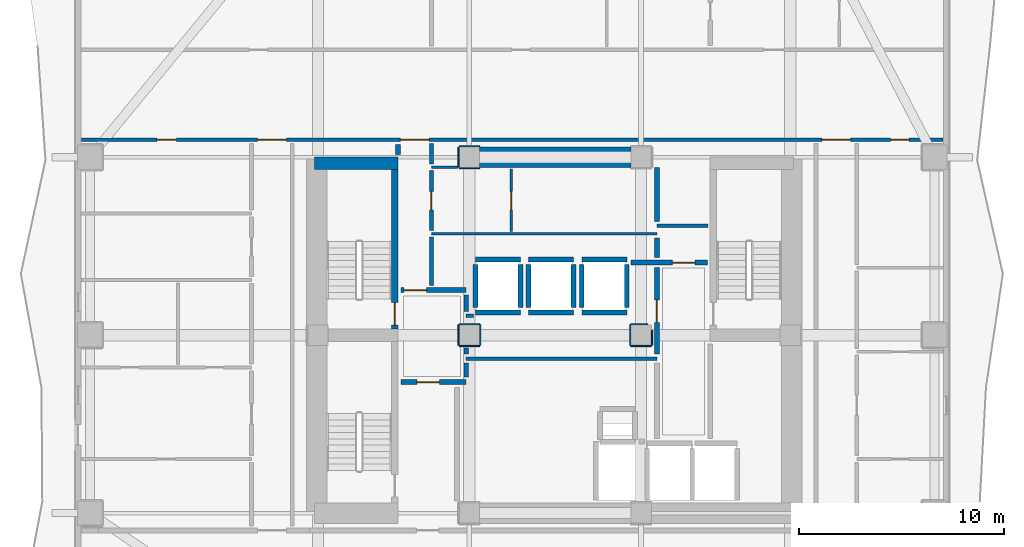
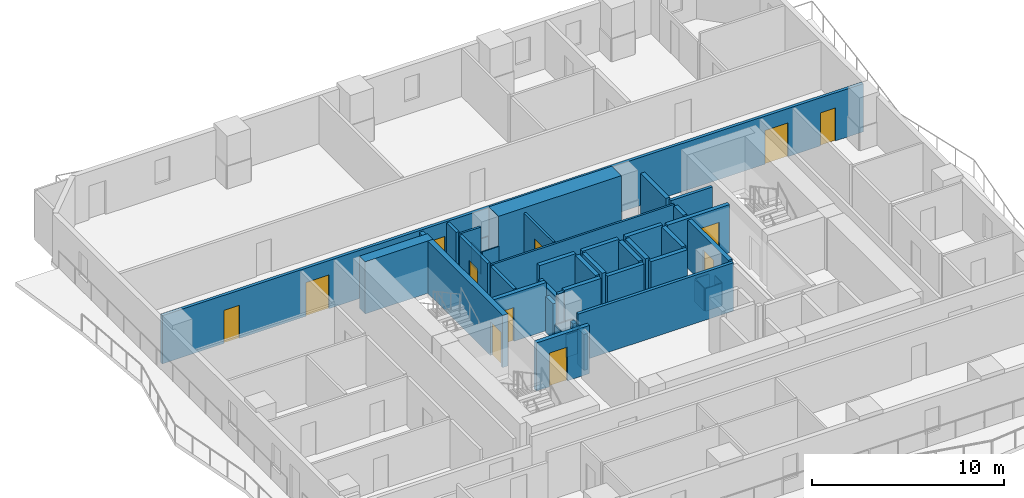
# One storey, part 4 of 10: 46 walls, 12 doors, 12 openings.
"""IFC4 building model written with IfcOpenShell, lengths in metres."""

from ifc_helpers import new_model, si_unit, direction, frame, frame_2d, origin, place, context, subcontext, project, spatial, rectangle, extrude, material, layer, layer_set, type_object, element, fill, save


model = new_model("IFC4")

# Units and contexts
model_context = context("Model", 3, precision=1e-05, world=origin(), true_north=direction((0.0, 1.0)))
body_context = subcontext(model_context, "Body", "Model", "MODEL_VIEW")
ifc_project = project(units=[si_unit("LENGTHUNIT", "METRE"), si_unit("AREAUNIT", "SQUARE_METRE"), si_unit("VOLUMEUNIT", "CUBIC_METRE"), si_unit("PLANEANGLEUNIT", "RADIAN"), si_unit("MASSUNIT", "GRAM", prefix="KILO")], contexts=[model_context])

# Site, building, storey
site_placement = place(None, origin())
site = spatial("IfcSite", under=ifc_project, at=site_placement, CompositionType="ELEMENT")
building_placement = place(site_placement, origin())
building = spatial("IfcBuilding", under=site, at=building_placement, Name="Solanera Arch Residences", CompositionType="ELEMENT")
storey_placement = place(building_placement, frame((0.0, 0.0, 99.43994140625)))
storey = spatial("IfcBuildingStorey", under=building, at=storey_placement, Name="L28", CompositionType="ELEMENT", Elevation=99.43994140625)

# Walls
ifc_material_1 = material(Name="Fire-Rated Gypsum Stud Partition", Category="gypsum")
ifc_layer_1 = layer(ifc_material_1, 0.06005859375)
ifc_layer_set_1 = layer_set([ifc_layer_1], Name="Fire-Rated Gypsum Stud Partition")
wall_type_1 = type_object("IfcWallType", Name="Column Acoustic Furring Wall 60", PredefinedType="PARTITIONING", material=ifc_layer_set_1)
for number, where, z_axis, x_axis, name in (
    (1, (20.300048828125, 38.867919921875, 0.0), (0.0, 0.0, 1.0), (1.0, 0.0, 0.0), "L28 Column Furring 3S"),
    (2, (20.300048828125, 39.931884765625, 0.0), (0.0, 0.0, 1.0), (1.0, 0.0, 0.0), "L28 Column Furring 3N"),
    (3, (20.26806640625, 38.89990234375, 0.0), (0.0, 0.0, 1.0), (0.0, 1.0, 0.0), "L28 Column Furring 3W"),
    (4, (20.300048828125, 30.16796875, 0.0), (0.0, 0.0, 1.0), (1.0, 0.0, 0.0), "L28 Column Furring 7S"),
    (5, (20.300048828125, 31.23193359375, 0.0), (0.0, 0.0, 1.0), (1.0, 0.0, 0.0), "L28 Column Furring 7N"),
    (6, (20.26806640625, 30.199951171875, 0.0), (0.0, 0.0, 1.0), (0.0, 1.0, 0.0), "L28 Column Furring 7W"),
    (7, (21.33203125, 30.199951171875, 0.0), (0.0, 0.0, 1.0), (0.0, 1.0, 0.0), "L28 Column Furring 7E"),
    (8, (28.699951171875, 30.16796875, 0.0), (0.0, 0.0, 1.0), (1.0, 0.0, 0.0), "L28 Column Furring 8S"),
):
    element("IfcWall", number, at=place(storey_placement, frame(where, z_axis=z_axis, x_axis=x_axis)), inside=storey, type_object=wall_type_1, Name=name, PredefinedType="PARTITIONING", context=body_context, shape_type="SweptSolid", body=[
        extrude(rectangle(XDim=1.0, YDim=0.06005859375, at=frame_2d((0.5, 0.0))), origin(), (0.0, 0.0, 1.0), 1.449951171875),
    ])
wall_1_placement = place(storey_placement, frame((28.699951171875, 31.23193359375, 0.0), z_axis=(0.0, 0.0, 1.0), x_axis=(1.0, 0.0, 0.0)))
element("IfcWall", 9, at=wall_1_placement, inside=storey, type_object=wall_type_1, Name="L28 Column Furring 8N", PredefinedType="PARTITIONING", context=body_context, shape_type="SweptSolid", body=[
    extrude(rectangle(XDim=0.8349609375, YDim=0.06005859375, at=frame_2d((0.41748046875, 0.0))), origin(), (0.0, 0.0, 1.0), 1.449951171875),
])
wall_2_placement = place(storey_placement, frame((28.66796875, 30.199951171875, 0.0), z_axis=(0.0, 0.0, 1.0), x_axis=(0.0, 1.0, 0.0)))
element("IfcWall", 10, at=wall_2_placement, inside=storey, type_object=wall_type_1, Name="L28 Column Furring 8W", PredefinedType="PARTITIONING", context=body_context, shape_type="SweptSolid", body=[
    extrude(rectangle(XDim=1.0, YDim=0.06005859375, at=frame_2d((0.5, 0.0))), origin(), (0.0, 0.0, 1.0), 1.449951171875),
])
wall_3_placement = place(storey_placement, frame((29.73193359375, 30.199951171875, 0.0), z_axis=(0.0, 0.0, 1.0), x_axis=(0.0, 1.0, 0.0)))
element("IfcWall", 11, at=wall_3_placement, inside=storey, type_object=wall_type_1, Name="L28 Column Furring 8E", PredefinedType="PARTITIONING", context=body_context, shape_type="SweptSolid", body=[
    extrude(rectangle(XDim=0.7470703125, YDim=0.06005859375, at=frame_2d((0.37353515625, 0.0))), origin(), (0.0, 0.0, 1.0), 1.449951171875),
])
ifc_material_2 = material(Name="Concrete C55/67 (f'c = 60 MPa)", Category="concrete")
ifc_layer_2 = layer(ifc_material_2, 1.0)
ifc_layer_set_2 = layer_set([ifc_layer_2], Name="Concrete C55/67 (f'c = 60 MPa)")
wall_type_2 = type_object("IfcWallType", Name="Core Shear Wall CW-1000", PredefinedType="SHEAR", material=ifc_layer_set_2)
wall_4_placement = place(storey_placement, frame((21.304931640625, 39.39990234375, 0.0), z_axis=(0.0, 0.0, 1.0), x_axis=(1.0, 0.0, 0.0)))
element("IfcWall", 12, at=wall_4_placement, inside=storey, type_object=wall_type_2, Name="L28 Central North Core Shear Wall", PredefinedType="SHEAR", context=body_context, shape_type="SweptSolid", body=[
    extrude(rectangle(XDim=7.39013671875, YDim=1.0, at=frame_2d((3.695068359375, 0.0))), origin(), (0.0, 0.0, 1.0), 3.320068359375),
])

# Wall, opening, door
ifc_material_3 = material(Name="Concrete C40/50 (f'c = 45 MPa)", Category="concrete")
ifc_layer_3 = layer(ifc_material_3, 0.320068359375)
ifc_layer_set_3 = layer_set([ifc_layer_3], Name="Concrete C40/50 (f'c = 45 MPa)")
wall_type_3 = type_object("IfcWallType", Name="Core Shear Wall CW-320", PredefinedType="SHEAR", material=ifc_layer_set_3)
wall_5_placement = place(storey_placement, frame((17.159912109375, 31.0, 0.0), z_axis=(0.0, 0.0, 1.0), x_axis=(0.0, 1.0, 0.0)))
wall_5 = element("IfcWall", 13, at=wall_5_placement, inside=storey, type_object=wall_type_3, Name="L28 Stair ST-T1 East Shear Wall", PredefinedType="SHEAR", context=body_context, shape_type="SweptSolid", body=[
    extrude(rectangle(XDim=7.800048828125, YDim=0.320068359375, at=frame_2d((3.89990234375, 0.0))), origin(), (0.0, 0.0, 1.0), 3.320068359375),
])
opening_1_placement = place(wall_5_placement, frame((0.18994140625, 0.0, 0.0)))
opening_1 = element("IfcOpeningElement", 14, at=opening_1_placement, cuts=wall_5, Name="Opening DF-01", PredefinedType="OPENING", context=body_context, shape_type="SweptSolid", body=[
    extrude(rectangle(XDim=1.10009765625, YDim=2.14990234375, at=frame_2d((0.550048828125, 1.074951171875))), frame((0.0, 0.169921875, 0.0), z_axis=(0.0, -1.0, 0.0), x_axis=(1.0, 0.0, 0.0)), (0.0, 0.0, 1.0), 0.3401),
])
ifc_material_4 = material(Name="Fire-Rated Architectural Hardwood", Category="wood")
door_type_1 = type_object("IfcDoorType", Name="Stair Exit Fire Door DF-01", OperationType="NOTDEFINED", PredefinedType="DOOR", material=ifc_material_4)
door_1_placement = place(opening_1_placement, origin())
door_1 = element("IfcDoor", 15, at=door_1_placement, inside=storey, type_object=door_type_1, Name="DR-L28-STAIR-ST-T1", OperationType="SINGLE_SWING_RIGHT", OverallHeight=2.14990234375, OverallWidth=1.10009765625, PredefinedType="DOOR", context=body_context, shape_type="SweptSolid", body=[
    extrude(rectangle(XDim=1.10009765625, YDim=2.14990234375, at=frame_2d((0.550048828125, 1.074951171875))), frame((0.0, 0.02490234375, 0.0), z_axis=(0.0, -1.0, 0.0), x_axis=(1.0, 0.0, 0.0)), (0.0, 0.0, 1.0), 0.050048828125),
])
fill(opening_1, door_1)

# Walls
ifc_material_5 = material(Name="Concrete C40/50 (f'c = 45 MPa)", Category="concrete")
ifc_layer_4 = layer(ifc_material_5, 0.60009765625)
ifc_layer_set_4 = layer_set([ifc_layer_4], Name="Concrete C40/50 (f'c = 45 MPa)")
wall_type_4 = type_object("IfcWallType", Name="Core Shear Wall CW-600", PredefinedType="SHEAR", material=ifc_layer_set_4)
wall_6_placement = place(storey_placement, frame((13.239990234375, 39.10009765625, 0.0), z_axis=(0.0, 0.0, 1.0), x_axis=(1.0, 0.0, 0.0)))
element("IfcWall", 16, at=wall_6_placement, inside=storey, type_object=wall_type_4, Name="L28 North-West Core Shear Wall", PredefinedType="SHEAR", context=body_context, shape_type="SweptSolid", body=[
    extrude(rectangle(XDim=4.080078125, YDim=0.60009765625, at=frame_2d((2.0400390625, 0.0))), origin(), (0.0, 0.0, 1.0), 3.320068359375),
])
ifc_material_6 = material(Name="Autoclaved Aerated Concrete Blockwork", Category="masonry")
ifc_layer_5 = layer(ifc_material_6, 0.179931640625)
ifc_layer_set_5 = layer_set([ifc_layer_5], Name="Autoclaved Aerated Concrete Blockwork")
wall_type_5 = type_object("IfcWallType", Name="Corridor Fire Partition 180", PredefinedType="PARTITIONING", material=ifc_layer_set_5)
wall_7_placement = place(storey_placement, frame((20.64990234375, 29.550048828125, 0.0), z_axis=(0.0, 0.0, 1.0), x_axis=(1.0, 0.0, 0.0)))
element("IfcWall", 17, at=wall_7_placement, inside=storey, type_object=wall_type_5, Name="L28 Interior Partition H7", PredefinedType="PARTITIONING", context=body_context, shape_type="SweptSolid", body=[
    extrude(rectangle(XDim=9.3251953125, YDim=0.179931640625, at=frame_2d((4.66259765625, 0.0))), origin(), (0.0, 0.0, 1.0), 3.06005859375),
])
wall_8_placement = place(storey_placement, frame((20.64990234375, 31.64990234375, 0.0), z_axis=(0.0, 0.0, 1.0), x_axis=(1.0, 0.0, 0.0)))
element("IfcWall", 18, at=wall_8_placement, inside=storey, type_object=wall_type_5, Name="L28 Interior Partition H8", PredefinedType="PARTITIONING", context=body_context, shape_type="SweptSolid", body=[
    extrude(rectangle(XDim=0.357177734375, YDim=0.179931640625, at=frame_2d((0.1787109375, 0.0))), origin(), (0.0, 0.0, 1.0), 3.06005859375),
])
wall_9_placement = place(storey_placement, frame((29.97509765625, 36.050048828125, 0.0), z_axis=(0.0, 0.0, 1.0), x_axis=(1.0, 0.0, 0.0)))
element("IfcWall", 19, at=wall_9_placement, inside=storey, type_object=wall_type_5, Name="L28 Interior Partition H9", PredefinedType="PARTITIONING", context=body_context, shape_type="SweptSolid", body=[
    extrude(rectangle(XDim=2.5048828125, YDim=0.179931640625, at=frame_2d((1.25244140625, 0.0))), origin(), (0.0, 0.0, 1.0), 3.06005859375),
])

# Wall, openings, doors
wall_10_placement = place(storey_placement, frame((1.826904296875, 40.25, 0.0), z_axis=(0.0, 0.0, 1.0), x_axis=(1.0, 0.0, 0.0)))
wall_10 = element("IfcWall", 20, at=wall_10_placement, inside=storey, type_object=wall_type_5, Name="L28 Interior Partition H10", PredefinedType="PARTITIONING", context=body_context, shape_type="SweptSolid", body=[
    extrude(rectangle(XDim=42.14599609375, YDim=0.179931640625, at=frame_2d((21.072998046875, 0.0))), origin(), (0.0, 0.0, 1.0), 3.06005859375),
])
opening_2_placement = place(wall_10_placement, frame((15.60791015625, 0.0, 0.0)))
opening_2 = element("IfcOpeningElement", 21, at=opening_2_placement, cuts=wall_10, Name="Opening DF-03", PredefinedType="OPENING", context=body_context, shape_type="SweptSolid", body=[
    extrude(rectangle(XDim=1.39990234375, YDim=2.14990234375, at=frame_2d((0.699951171875, 1.074951171875))), frame((0.0, 0.10009765625, 0.0), z_axis=(0.0, -1.0, 0.0), x_axis=(1.0, 0.0, 0.0)), (0.0, 0.0, 1.0), 0.1999),
])
opening_3_placement = place(wall_10_placement, frame((8.623046875, 0.0, 0.0)))
opening_3 = element("IfcOpeningElement", 22, at=opening_3_placement, cuts=wall_10, Name="Opening DF-03", PredefinedType="OPENING", context=body_context, shape_type="SweptSolid", body=[
    extrude(rectangle(XDim=1.39990234375, YDim=2.14990234375, at=frame_2d((0.699951171875, 1.074951171875))), frame((0.0, 0.10009765625, 0.0), z_axis=(0.0, -1.0, 0.0), x_axis=(1.0, 0.0, 0.0)), (0.0, 0.0, 1.0), 0.1999),
])
opening_4_placement = place(wall_10_placement, frame((36.222900390625, 0.0, 0.0)))
opening_4 = element("IfcOpeningElement", 23, at=opening_4_placement, cuts=wall_10, Name="Opening DF-03", PredefinedType="OPENING", context=body_context, shape_type="SweptSolid", body=[
    extrude(rectangle(XDim=1.39990234375, YDim=2.14990234375, at=frame_2d((0.699951171875, 1.074951171875))), frame((0.0, 0.10009765625, 0.0), z_axis=(0.0, -1.0, 0.0), x_axis=(1.0, 0.0, 0.0)), (0.0, 0.0, 1.0), 0.1999),
])
opening_5_placement = place(wall_10_placement, frame((3.697021484375, 0.0, 0.0)))
opening_5 = element("IfcOpeningElement", 24, at=opening_5_placement, cuts=wall_10, Name="Opening DI-04", PredefinedType="OPENING", context=body_context, shape_type="SweptSolid", body=[
    extrude(rectangle(XDim=0.949951171875, YDim=2.10009765625, at=frame_2d((0.47509765625, 1.050048828125))), frame((0.0, 0.10009765625, 0.0), z_axis=(0.0, -1.0, 0.0), x_axis=(1.0, 0.0, 0.0)), (0.0, 0.0, 1.0), 0.1999),
])
opening_6_placement = place(wall_10_placement, frame((39.573974609375, 0.0, 0.0)))
opening_6 = element("IfcOpeningElement", 25, at=opening_6_placement, cuts=wall_10, Name="Opening DI-02", PredefinedType="OPENING", context=body_context, shape_type="SweptSolid", body=[
    extrude(rectangle(XDim=0.89990234375, YDim=2.10009765625, at=frame_2d((0.449951171875, 1.050048828125))), frame((0.0, 0.10009765625, 0.0), z_axis=(0.0, -1.0, 0.0), x_axis=(1.0, 0.0, 0.0)), (0.0, 0.0, 1.0), 0.1999),
])
ifc_material_7 = material(Name="Fire-Rated Architectural Hardwood", Category="wood")
door_type_2 = type_object("IfcDoorType", Name="Accessible Restroom Door DI-04", OperationType="NOTDEFINED", PredefinedType="DOOR", material=ifc_material_7)
door_2_placement = place(opening_5_placement, origin())
door_2 = element("IfcDoor", 26, at=door_2_placement, inside=storey, type_object=door_type_2, Name="DR-L28-IN-036", OperationType="SINGLE_SWING_LEFT", OverallHeight=2.10009765625, OverallWidth=0.949951171875, PredefinedType="DOOR", context=body_context, shape_type="SweptSolid", body=[
    extrude(rectangle(XDim=0.949951171875, YDim=2.10009765625, at=frame_2d((0.47509765625, 1.050048828125))), frame((0.0, 0.02490234375, 0.0), z_axis=(0.0, -1.0, 0.0), x_axis=(1.0, 0.0, 0.0)), (0.0, 0.0, 1.0), 0.050048828125),
])
fill(opening_5, door_2)
ifc_material_8 = material(Name="Fire-Rated Architectural Hardwood", Category="wood")
door_type_3 = type_object("IfcDoorType", Name="Corridor Smoke Door DF-03", OperationType="NOTDEFINED", PredefinedType="DOOR", material=ifc_material_8)
door_3_placement = place(opening_2_placement, origin())
door_3 = element("IfcDoor", 27, at=door_3_placement, inside=storey, type_object=door_type_3, Name="DR-L28-IN-009", OperationType="SINGLE_SWING_RIGHT", OverallHeight=2.14990234375, OverallWidth=1.39990234375, PredefinedType="DOOR", context=body_context, shape_type="SweptSolid", body=[
    extrude(rectangle(XDim=1.39990234375, YDim=2.14990234375, at=frame_2d((0.699951171875, 1.074951171875))), frame((0.0, 0.02490234375, 0.0), z_axis=(0.0, -1.0, 0.0), x_axis=(1.0, 0.0, 0.0)), (0.0, 0.0, 1.0), 0.050048828125),
])
fill(opening_2, door_3)
door_4_placement = place(opening_3_placement, origin())
door_4 = element("IfcDoor", 28, at=door_4_placement, inside=storey, type_object=door_type_3, Name="DR-L28-IN-012", OperationType="SINGLE_SWING_LEFT", OverallHeight=2.14990234375, OverallWidth=1.39990234375, PredefinedType="DOOR", context=body_context, shape_type="SweptSolid", body=[
    extrude(rectangle(XDim=1.39990234375, YDim=2.14990234375, at=frame_2d((0.699951171875, 1.074951171875))), frame((0.0, 0.02490234375, 0.0), z_axis=(0.0, -1.0, 0.0), x_axis=(1.0, 0.0, 0.0)), (0.0, 0.0, 1.0), 0.050048828125),
])
fill(opening_3, door_4)
door_5_placement = place(opening_4_placement, origin())
door_5 = element("IfcDoor", 29, at=door_5_placement, inside=storey, type_object=door_type_3, Name="DR-L28-IN-013", OperationType="SINGLE_SWING_RIGHT", OverallHeight=2.14990234375, OverallWidth=1.39990234375, PredefinedType="DOOR", context=body_context, shape_type="SweptSolid", body=[
    extrude(rectangle(XDim=1.39990234375, YDim=2.14990234375, at=frame_2d((0.699951171875, 1.074951171875))), frame((0.0, 0.02490234375, 0.0), z_axis=(0.0, -1.0, 0.0), x_axis=(1.0, 0.0, 0.0)), (0.0, 0.0, 1.0), 0.050048828125),
])
fill(opening_4, door_5)
ifc_material_9 = material(Name="Fire-Rated Architectural Hardwood", Category="wood")
door_type_4 = type_object("IfcDoorType", Name="Suite Room Swing Door DI-02", OperationType="NOTDEFINED", PredefinedType="DOOR", material=ifc_material_9)
door_6_placement = place(opening_6_placement, origin())
door_6 = element("IfcDoor", 30, at=door_6_placement, inside=storey, type_object=door_type_4, Name="DR-L28-IN-040", OperationType="SINGLE_SWING_LEFT", OverallHeight=2.10009765625, OverallWidth=0.89990234375, PredefinedType="DOOR", context=body_context, shape_type="SweptSolid", body=[
    extrude(rectangle(XDim=0.89990234375, YDim=2.10009765625, at=frame_2d((0.449951171875, 1.050048828125))), frame((0.0, 0.02490234375, 0.0), z_axis=(0.0, -1.0, 0.0), x_axis=(1.0, 0.0, 0.0)), (0.0, 0.0, 1.0), 0.050048828125),
])
fill(opening_6, door_6)

# Wall
wall_11_placement = place(storey_placement, frame((18.949951171875, 33.117919921875, 0.0), z_axis=(0.0, 0.0, 1.0), x_axis=(0.0, 1.0, 0.0)))
element("IfcWall", 31, at=wall_11_placement, inside=storey, type_object=wall_type_5, Name="L28 Interior Partition V10 1", PredefinedType="PARTITIONING", context=body_context, shape_type="SweptSolid", body=[
    extrude(rectangle(XDim=2.3740234375, YDim=0.179931640625, at=frame_2d((1.18701171875, 0.0))), origin(), (0.0, 0.0, 1.0), 3.06005859375),
])

# Wall, opening, door
wall_12_placement = place(storey_placement, frame((18.949951171875, 35.80810546875, 0.0), z_axis=(0.0, 0.0, 1.0), x_axis=(0.0, 1.0, 0.0)))
wall_12 = element("IfcWall", 32, at=wall_12_placement, inside=storey, type_object=wall_type_5, Name="L28 Interior Partition V10 2", PredefinedType="PARTITIONING", context=body_context, shape_type="SweptSolid", body=[
    extrude(rectangle(XDim=2.933837890625, YDim=0.179931640625, at=frame_2d((1.466796875, 0.0))), origin(), (0.0, 0.0, 1.0), 3.06005859375),
])
opening_7_placement = place(wall_12_placement, frame((1.01708984375, 0.0, 0.0)))
opening_7 = element("IfcOpeningElement", 33, at=opening_7_placement, cuts=wall_12, Name="Opening DI-02", PredefinedType="OPENING", context=body_context, shape_type="SweptSolid", body=[
    extrude(rectangle(XDim=0.89990234375, YDim=2.10009765625, at=frame_2d((0.449951171875, 1.050048828125))), frame((0.0, 0.10009765625, 0.0), z_axis=(0.0, -1.0, 0.0), x_axis=(1.0, 0.0, 0.0)), (0.0, 0.0, 1.0), 0.1999),
])
door_7_placement = place(opening_7_placement, origin())
door_7 = element("IfcDoor", 34, at=door_7_placement, inside=storey, type_object=door_type_4, Name="DR-L28-IN-014", OperationType="SINGLE_SWING_LEFT", OverallHeight=2.10009765625, OverallWidth=0.89990234375, PredefinedType="DOOR", context=body_context, shape_type="SweptSolid", body=[
    extrude(rectangle(XDim=0.89990234375, YDim=2.10009765625, at=frame_2d((0.449951171875, 1.050048828125))), frame((0.0, 0.02490234375, 0.0), z_axis=(0.0, -1.0, 0.0), x_axis=(1.0, 0.0, 0.0)), (0.0, 0.0, 1.0), 0.050048828125),
])
fill(opening_7, door_7)

# Walls
wall_13_placement = place(storey_placement, frame((18.949951171875, 39.05810546875, 0.0), z_axis=(0.0, 0.0, 1.0), x_axis=(0.0, 1.0, 0.0)))
element("IfcWall", 35, at=wall_13_placement, inside=storey, type_object=wall_type_5, Name="L28 Interior Partition V10 3", PredefinedType="PARTITIONING", context=body_context, shape_type="SweptSolid", body=[
    extrude(rectangle(XDim=1.00390625, YDim=0.179931640625, at=frame_2d((0.501953125, 0.0))), origin(), (0.0, 0.0, 1.0), 3.06005859375),
])
ifc_material_10 = material(Name="Autoclaved Aerated Concrete Blockwork", Category="masonry")
ifc_layer_6 = layer(ifc_material_10, 0.239990234375)
ifc_layer_set_6 = layer_set([ifc_layer_6], Name="Autoclaved Aerated Concrete Blockwork")
wall_type_6 = type_object("IfcWallType", Name="Shaft Wall Fire-Rated 240", PredefinedType="PARTITIONING", material=ifc_layer_set_6)
for number, where, z_axis, x_axis, name in (
    (36, (21.10009765625, 31.800048828125, 0.0), (0.0, 0.0, 1.0), (1.0, 0.0, 0.0), "L28 Lift PL-M1 Hoistway Wall S"),
    (37, (21.10009765625, 34.39990234375, 0.0), (0.0, 0.0, 1.0), (1.0, 0.0, 0.0), "L28 Lift PL-M1 Hoistway Wall N"),
):
    element("IfcWall", number, at=place(storey_placement, frame(where, z_axis=z_axis, x_axis=x_axis)), inside=storey, type_object=wall_type_6, Name=name, PredefinedType="PARTITIONING", context=body_context, shape_type="SweptSolid", body=[
        extrude(rectangle(XDim=2.199951171875, YDim=0.239990234375, at=frame_2d((1.10009765625, 0.0))), origin(), (0.0, 0.0, 1.0), 3.06005859375),
    ])
wall_14_placement = place(storey_placement, frame((21.10009765625, 32.048095703125, 0.0), z_axis=(0.0, 0.0, 1.0), x_axis=(0.0, 1.0, 0.0)))
element("IfcWall", 38, at=wall_14_placement, inside=storey, type_object=wall_type_6, Name="L28 Lift PL-M1 Hoistway Wall W", PredefinedType="PARTITIONING", context=body_context, shape_type="SweptSolid", body=[
    extrude(rectangle(XDim=2.10400390625, YDim=0.239990234375, at=frame_2d((1.052001953125, 0.0))), origin(), (0.0, 0.0, 1.0), 2.295166015625),
])
wall_15_placement = place(storey_placement, frame((23.300048828125, 32.048095703125, 0.0), z_axis=(0.0, 0.0, 1.0), x_axis=(0.0, 1.0, 0.0)))
element("IfcWall", 39, at=wall_15_placement, inside=storey, type_object=wall_type_6, Name="L28 Lift PL-M1 Hoistway Wall E", PredefinedType="PARTITIONING", context=body_context, shape_type="SweptSolid", body=[
    extrude(rectangle(XDim=2.10400390625, YDim=0.239990234375, at=frame_2d((1.052001953125, 0.0))), origin(), (0.0, 0.0, 1.0), 3.06005859375),
])
for number, where, z_axis, x_axis, name in (
    (40, (23.699951171875, 31.800048828125, 0.0), (0.0, 0.0, 1.0), (1.0, 0.0, 0.0), "L28 Lift PL-M2 Hoistway Wall S"),
    (41, (23.699951171875, 34.39990234375, 0.0), (0.0, 0.0, 1.0), (1.0, 0.0, 0.0), "L28 Lift PL-M2 Hoistway Wall N"),
):
    element("IfcWall", number, at=place(storey_placement, frame(where, z_axis=z_axis, x_axis=x_axis)), inside=storey, type_object=wall_type_6, Name=name, PredefinedType="PARTITIONING", context=body_context, shape_type="SweptSolid", body=[
        extrude(rectangle(XDim=2.199951171875, YDim=0.239990234375, at=frame_2d((1.10009765625, 0.0))), origin(), (0.0, 0.0, 1.0), 3.06005859375),
    ])
for number, where, z_axis, x_axis, name in (
    (42, (23.699951171875, 32.048095703125, 0.0), (0.0, 0.0, 1.0), (0.0, 1.0, 0.0), "L28 Lift PL-M2 Hoistway Wall W"),
    (43, (25.89990234375, 32.048095703125, 0.0), (0.0, 0.0, 1.0), (0.0, 1.0, 0.0), "L28 Lift PL-M2 Hoistway Wall E"),
):
    element("IfcWall", number, at=place(storey_placement, frame(where, z_axis=z_axis, x_axis=x_axis)), inside=storey, type_object=wall_type_6, Name=name, PredefinedType="PARTITIONING", context=body_context, shape_type="SweptSolid", body=[
        extrude(rectangle(XDim=2.10400390625, YDim=0.239990234375, at=frame_2d((1.052001953125, 0.0))), origin(), (0.0, 0.0, 1.0), 3.06005859375),
    ])
for number, where, z_axis, x_axis, name in (
    (44, (26.300048828125, 31.800048828125, 0.0), (0.0, 0.0, 1.0), (1.0, 0.0, 0.0), "L28 Lift PL-M3 Hoistway Wall S"),
    (45, (26.300048828125, 34.39990234375, 0.0), (0.0, 0.0, 1.0), (1.0, 0.0, 0.0), "L28 Lift PL-M3 Hoistway Wall N"),
):
    element("IfcWall", number, at=place(storey_placement, frame(where, z_axis=z_axis, x_axis=x_axis)), inside=storey, type_object=wall_type_6, Name=name, PredefinedType="PARTITIONING", context=body_context, shape_type="SweptSolid", body=[
        extrude(rectangle(XDim=2.199951171875, YDim=0.239990234375, at=frame_2d((1.10009765625, 0.0))), origin(), (0.0, 0.0, 1.0), 3.06005859375),
    ])
for number, where, z_axis, x_axis, name in (
    (46, (26.300048828125, 32.048095703125, 0.0), (0.0, 0.0, 1.0), (0.0, 1.0, 0.0), "L28 Lift PL-M3 Hoistway Wall W"),
    (47, (28.5, 32.048095703125, 0.0), (0.0, 0.0, 1.0), (0.0, 1.0, 0.0), "L28 Lift PL-M3 Hoistway Wall E"),
):
    element("IfcWall", number, at=place(storey_placement, frame(where, z_axis=z_axis, x_axis=x_axis)), inside=storey, type_object=wall_type_6, Name=name, PredefinedType="PARTITIONING", context=body_context, shape_type="SweptSolid", body=[
        extrude(rectangle(XDim=2.10400390625, YDim=0.239990234375, at=frame_2d((1.052001953125, 0.0))), origin(), (0.0, 0.0, 1.0), 3.06005859375),
    ])

# Wall, opening, door
wall_16_placement = place(storey_placement, frame((17.449951171875, 28.39990234375, 0.0), z_axis=(0.0, 0.0, 1.0), x_axis=(1.0, 0.0, 0.0)))
wall_16 = element("IfcWall", 48, at=wall_16_placement, inside=storey, type_object=wall_type_6, Name="L28 Interior Partition H3", PredefinedType="PARTITIONING", context=body_context, shape_type="SweptSolid", body=[
    extrude(rectangle(XDim=3.199951171875, YDim=0.239990234375, at=frame_2d((1.60009765625, 0.0))), origin(), (0.0, 0.0, 1.0), 3.06005859375),
])
opening_8_placement = place(wall_16_placement, frame((0.783935546875, 0.0, 0.0)))
opening_8 = element("IfcOpeningElement", 49, at=opening_8_placement, cuts=wall_16, Name="Opening DF-02", PredefinedType="OPENING", context=body_context, shape_type="SweptSolid", body=[
    extrude(rectangle(XDim=1.10009765625, YDim=2.14990234375, at=frame_2d((0.550048828125, 1.074951171875))), frame((0.0, 0.1298828125, 0.0), z_axis=(0.0, -1.0, 0.0), x_axis=(1.0, 0.0, 0.0)), (0.0, 0.0, 1.0), 0.26),
])
ifc_material_11 = material(Name="Fire-Rated Architectural Hardwood", Category="wood")
door_type_5 = type_object("IfcDoorType", Name="Firefighting Lobby Fire Door DF-02", OperationType="NOTDEFINED", PredefinedType="DOOR", material=ifc_material_11)
door_8_placement = place(opening_8_placement, origin())
door_8 = element("IfcDoor", 50, at=door_8_placement, inside=storey, type_object=door_type_5, Name="DR-L28-IN-004", OperationType="SINGLE_SWING_LEFT", OverallHeight=2.14990234375, OverallWidth=1.10009765625, PredefinedType="DOOR", context=body_context, shape_type="SweptSolid", body=[
    extrude(rectangle(XDim=1.10009765625, YDim=2.14990234375, at=frame_2d((0.550048828125, 1.074951171875))), frame((0.0, 0.02490234375, 0.0), z_axis=(0.0, -1.0, 0.0), x_axis=(1.0, 0.0, 0.0)), (0.0, 0.0, 1.0), 0.050048828125),
])
fill(opening_8, door_8)

wall_17_placement = place(storey_placement, frame((17.449951171875, 32.89990234375, 0.0), z_axis=(0.0, 0.0, 1.0), x_axis=(1.0, 0.0, 0.0)))
wall_17 = element("IfcWall", 51, at=wall_17_placement, inside=storey, type_object=wall_type_6, Name="L28 Interior Partition H4", PredefinedType="PARTITIONING", context=body_context, shape_type="SweptSolid", body=[
    extrude(rectangle(XDim=3.199951171875, YDim=0.239990234375, at=frame_2d((1.60009765625, 0.0))), origin(), (0.0, 0.0, 1.0), 3.06005859375),
])
opening_9_placement = place(wall_17_placement, frame((0.158935546875, 0.0, 0.0)))
opening_9 = element("IfcOpeningElement", 52, at=opening_9_placement, cuts=wall_17, Name="Opening DF-02", PredefinedType="OPENING", context=body_context, shape_type="SweptSolid", body=[
    extrude(rectangle(XDim=1.10009765625, YDim=2.14990234375, at=frame_2d((0.550048828125, 1.074951171875))), frame((0.0, 0.1298828125, 0.0), z_axis=(0.0, -1.0, 0.0), x_axis=(1.0, 0.0, 0.0)), (0.0, 0.0, 1.0), 0.26),
])
door_9_placement = place(opening_9_placement, origin())
door_9 = element("IfcDoor", 53, at=door_9_placement, inside=storey, type_object=door_type_5, Name="DR-L28-IN-005", OperationType="SINGLE_SWING_RIGHT", OverallHeight=2.14990234375, OverallWidth=1.10009765625, PredefinedType="DOOR", context=body_context, shape_type="SweptSolid", body=[
    extrude(rectangle(XDim=1.10009765625, YDim=2.14990234375, at=frame_2d((0.550048828125, 1.074951171875))), frame((0.0, 0.02490234375, 0.0), z_axis=(0.0, -1.0, 0.0), x_axis=(1.0, 0.0, 0.0)), (0.0, 0.0, 1.0), 0.050048828125),
])
fill(opening_9, door_9)

wall_18_placement = place(storey_placement, frame((28.701904296875, 34.25, 0.0), z_axis=(0.0, 0.0, 1.0), x_axis=(1.0, 0.0, 0.0)))
wall_18 = element("IfcWall", 54, at=wall_18_placement, inside=storey, type_object=wall_type_6, Name="L28 Interior Partition H5", PredefinedType="PARTITIONING", context=body_context, shape_type="SweptSolid", body=[
    extrude(rectangle(XDim=3.748046875, YDim=0.239990234375, at=frame_2d((1.8740234375, 0.0))), origin(), (0.0, 0.0, 1.0), 3.06005859375),
])
opening_10_placement = place(wall_18_placement, frame((2.02490234375, 0.0, 0.0)))
opening_10 = element("IfcOpeningElement", 55, at=opening_10_placement, cuts=wall_18, Name="Opening DF-02", PredefinedType="OPENING", context=body_context, shape_type="SweptSolid", body=[
    extrude(rectangle(XDim=1.10009765625, YDim=2.14990234375, at=frame_2d((0.550048828125, 1.074951171875))), frame((0.0, 0.1298828125, 0.0), z_axis=(0.0, -1.0, 0.0), x_axis=(1.0, 0.0, 0.0)), (0.0, 0.0, 1.0), 0.26),
])
door_10_placement = place(opening_10_placement, origin())
door_10 = element("IfcDoor", 56, at=door_10_placement, inside=storey, type_object=door_type_5, Name="DR-L28-IN-007", OperationType="SINGLE_SWING_RIGHT", OverallHeight=2.14990234375, OverallWidth=1.10009765625, PredefinedType="DOOR", context=body_context, shape_type="SweptSolid", body=[
    extrude(rectangle(XDim=1.10009765625, YDim=2.14990234375, at=frame_2d((0.550048828125, 1.074951171875))), frame((0.0, 0.02490234375, 0.0), z_axis=(0.0, -1.0, 0.0), x_axis=(1.0, 0.0, 0.0)), (0.0, 0.0, 1.0), 0.050048828125),
])
fill(opening_10, door_10)

# Walls
wall_19_placement = place(storey_placement, frame((17.320068359375, 39.530029296875, 0.0), z_axis=(0.0, 0.0, 1.0), x_axis=(0.0, 1.0, 0.0)))
element("IfcWall", 57, at=wall_19_placement, inside=storey, type_object=wall_type_6, Name="L28 Interior Partition V1", PredefinedType="PARTITIONING", context=body_context, shape_type="SweptSolid", body=[
    extrude(rectangle(XDim=0.501953125, YDim=0.239990234375, at=frame_2d((0.2509765625, 0.0))), origin(), (0.0, 0.0, 1.0), 3.06005859375),
])
wall_20_placement = place(storey_placement, frame((20.64990234375, 28.64794921875, 0.0), z_axis=(0.0, 0.0, 1.0), x_axis=(0.0, 1.0, 0.0)))
element("IfcWall", 58, at=wall_20_placement, inside=storey, type_object=wall_type_6, Name="L28 Interior Partition V3 1", PredefinedType="PARTITIONING", context=body_context, shape_type="SweptSolid", body=[
    extrude(rectangle(XDim=0.68408203125, YDim=0.239990234375, at=frame_2d((0.342041015625, 0.0))), origin(), (0.0, 0.0, 1.0), 2.295166015625),
])
wall_21_placement = place(storey_placement, frame((20.64990234375, 29.76806640625, 0.0), z_axis=(0.0, 0.0, 1.0), x_axis=(0.0, 1.0, 0.0)))
element("IfcWall", 59, at=wall_21_placement, inside=storey, type_object=wall_type_6, Name="L28 Interior Partition V3 2", PredefinedType="PARTITIONING", context=body_context, shape_type="SweptSolid", body=[
    extrude(rectangle(XDim=0.300048828125, YDim=0.239990234375, at=frame_2d((0.14990234375, 0.0))), origin(), (0.0, 0.0, 1.0), 2.295166015625),
])
wall_22_placement = place(storey_placement, frame((20.64990234375, 31.867919921875, 0.0), z_axis=(0.0, 0.0, 1.0), x_axis=(0.0, 1.0, 0.0)))
element("IfcWall", 60, at=wall_22_placement, inside=storey, type_object=wall_type_6, Name="L28 Interior Partition V3 3", PredefinedType="PARTITIONING", context=body_context, shape_type="SweptSolid", body=[
    extrude(rectangle(XDim=0.7841796875, YDim=0.239990234375, at=frame_2d((0.39208984375, 0.0))), origin(), (0.0, 0.0, 1.0), 2.295166015625),
])

# Wall, opening, door
wall_23_placement = place(storey_placement, frame((29.97509765625, 29.76806640625, 0.0), z_axis=(0.0, 0.0, 1.0), x_axis=(0.0, 1.0, 0.0)))
wall_23 = element("IfcWall", 61, at=wall_23_placement, inside=storey, type_object=wall_type_6, Name="L28 Interior Partition V4 2", PredefinedType="PARTITIONING", context=body_context, shape_type="SweptSolid", body=[
    extrude(rectangle(XDim=4.23388671875, YDim=0.239990234375, at=frame_2d((2.116943359375, 0.0))), origin(), (0.0, 0.0, 1.0), 3.06005859375),
])
opening_11_placement = place(wall_23_placement, frame((1.556884765625, 0.0, 0.0)))
opening_11 = element("IfcOpeningElement", 62, at=opening_11_placement, cuts=wall_23, Name="Opening DF-02", PredefinedType="OPENING", context=body_context, shape_type="SweptSolid", body=[
    extrude(rectangle(XDim=1.10009765625, YDim=2.14990234375, at=frame_2d((0.550048828125, 1.074951171875))), frame((0.0, 0.1298828125, 0.0), z_axis=(0.0, -1.0, 0.0), x_axis=(1.0, 0.0, 0.0)), (0.0, 0.0, 1.0), 0.26),
])
door_11_placement = place(opening_11_placement, origin())
door_11 = element("IfcDoor", 63, at=door_11_placement, inside=storey, type_object=door_type_5, Name="DR-L28-IN-006", OperationType="SINGLE_SWING_LEFT", OverallHeight=2.14990234375, OverallWidth=1.10009765625, PredefinedType="DOOR", context=body_context, shape_type="SweptSolid", body=[
    extrude(rectangle(XDim=1.10009765625, YDim=2.14990234375, at=frame_2d((0.550048828125, 1.074951171875))), frame((0.0, 0.02490234375, 0.0), z_axis=(0.0, -1.0, 0.0), x_axis=(1.0, 0.0, 0.0)), (0.0, 0.0, 1.0), 0.050048828125),
])
fill(opening_11, door_11)

# Walls
wall_24_placement = place(storey_placement, frame((29.97509765625, 34.498046875, 0.0), z_axis=(0.0, 0.0, 1.0), x_axis=(0.0, 1.0, 0.0)))
element("IfcWall", 64, at=wall_24_placement, inside=storey, type_object=wall_type_6, Name="L28 Interior Partition V4 3", PredefinedType="PARTITIONING", context=body_context, shape_type="SweptSolid", body=[
    extrude(rectangle(XDim=0.9638671875, YDim=0.239990234375, at=frame_2d((0.48193359375, 0.0))), origin(), (0.0, 0.0, 1.0), 3.06005859375),
])
wall_25_placement = place(storey_placement, frame((29.97509765625, 36.26806640625, 0.0), z_axis=(0.0, 0.0, 1.0), x_axis=(0.0, 1.0, 0.0)))
element("IfcWall", 65, at=wall_25_placement, inside=storey, type_object=wall_type_6, Name="L28 Interior Partition V4 4", PredefinedType="PARTITIONING", context=body_context, shape_type="SweptSolid", body=[
    extrude(rectangle(XDim=2.6318359375, YDim=0.239990234375, at=frame_2d((1.31591796875, 0.0))), origin(), (0.0, 0.0, 1.0), 3.06005859375),
])
ifc_material_12 = material(Name="Fire-Rated Gypsum Stud Partition", Category="gypsum")
ifc_layer_7 = layer(ifc_material_12, 0.1201171875)
ifc_layer_set_7 = layer_set([ifc_layer_7], Name="Fire-Rated Gypsum Stud Partition")
wall_type_7 = type_object("IfcWallType", Name="Unit Drywall Partition 120", PredefinedType="PARTITIONING", material=ifc_layer_set_7)
wall_26_placement = place(storey_placement, frame((18.949951171875, 35.64990234375, 0.0), z_axis=(0.0, 0.0, 1.0), x_axis=(1.0, 0.0, 0.0)))
element("IfcWall", 66, at=wall_26_placement, inside=storey, type_object=wall_type_7, Name="L28 Interior Partition H24", PredefinedType="PARTITIONING", context=body_context, shape_type="SweptSolid", body=[
    extrude(rectangle(XDim=11.025146484375, YDim=0.1201171875, at=frame_2d((5.5126953125, 0.0))), origin(), (0.0, 0.0, 1.0), 3.06005859375),
])
wall_27_placement = place(storey_placement, frame((18.949951171875, 38.89990234375, 0.0), z_axis=(0.0, 0.0, 1.0), x_axis=(1.0, 0.0, 0.0)))
element("IfcWall", 67, at=wall_27_placement, inside=storey, type_object=wall_type_7, Name="L28 Interior Partition H25", PredefinedType="PARTITIONING", context=body_context, shape_type="SweptSolid", body=[
    extrude(rectangle(XDim=1.278076171875, YDim=0.1201171875, at=frame_2d((0.63916015625, 0.0))), origin(), (0.0, 0.0, 1.0), 3.06005859375),
])

# Wall, opening, door
wall_28_placement = place(storey_placement, frame((22.85009765625, 35.778076171875, 0.0), z_axis=(0.0, 0.0, 1.0), x_axis=(0.0, 1.0, 0.0)))
wall_28 = element("IfcWall", 68, at=wall_28_placement, inside=storey, type_object=wall_type_7, Name="L28 Interior Partition V21", PredefinedType="PARTITIONING", context=body_context, shape_type="SweptSolid", body=[
    extrude(rectangle(XDim=3.052001953125, YDim=0.1201171875, at=frame_2d((1.52587890625, 0.0))), origin(), (0.0, 0.0, 1.0), 3.06005859375),
])
opening_12_placement = place(wall_28_placement, frame((1.047119140625, 0.0, 0.0)))
opening_12 = element("IfcOpeningElement", 69, at=opening_12_placement, cuts=wall_28, Name="Opening DI-02", PredefinedType="OPENING", context=body_context, shape_type="SweptSolid", body=[
    extrude(rectangle(XDim=0.89990234375, YDim=2.10009765625, at=frame_2d((0.449951171875, 1.050048828125))), frame((0.0, 0.070068359375, 0.0), z_axis=(0.0, -1.0, 0.0), x_axis=(1.0, 0.0, 0.0)), (0.0, 0.0, 1.0), 0.1401),
])
door_12_placement = place(opening_12_placement, origin())
door_12 = element("IfcDoor", 70, at=door_12_placement, inside=storey, type_object=door_type_4, Name="DR-L28-IN-015", OperationType="SINGLE_SWING_RIGHT", OverallHeight=2.10009765625, OverallWidth=0.89990234375, PredefinedType="DOOR", context=body_context, shape_type="SweptSolid", body=[
    extrude(rectangle(XDim=0.89990234375, YDim=2.10009765625, at=frame_2d((0.449951171875, 1.050048828125))), frame((0.0, 0.02490234375, 0.0), z_axis=(0.0, -1.0, 0.0), x_axis=(1.0, 0.0, 0.0)), (0.0, 0.0, 1.0), 0.050048828125),
])
fill(opening_12, door_12)

save(model, "model.ifc")
